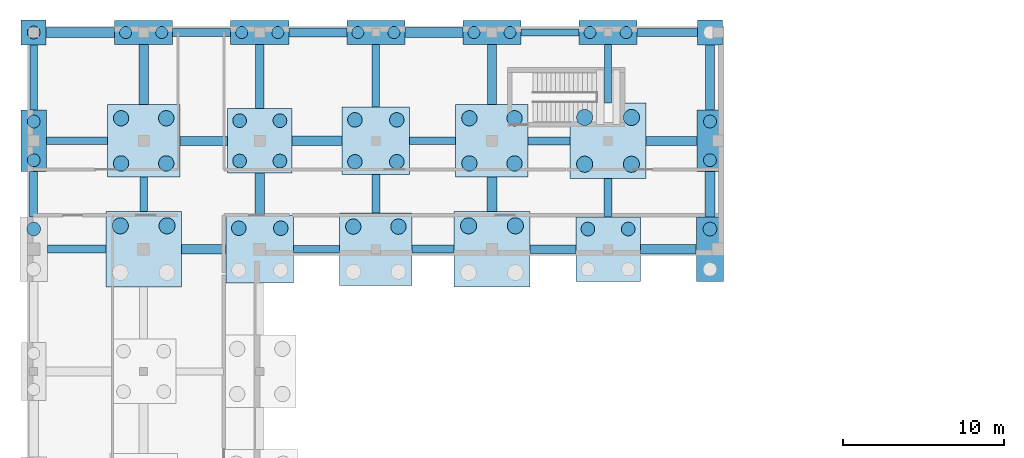
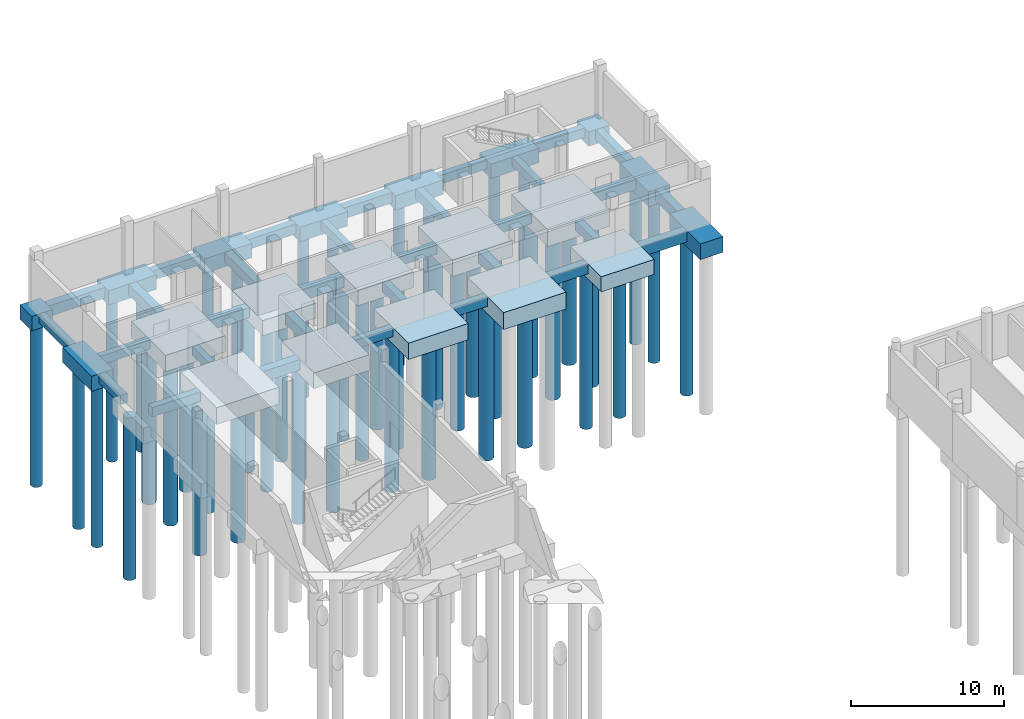
# One storey, part 7 of 41: 52 footings, 47 piles.
"""IFC4 building model written with IfcOpenShell, lengths in metres."""

from ifc_helpers import new_model, si_unit, direction, frame, origin, origin_2d, place, context, subcontext, project, spatial, rectangle, circle, extrude, material, material_profile, profile_set, type_object, element, save


model = new_model("IFC4")

# Units and contexts
model_context = context("Model", 3, precision=1e-05, world=origin(), true_north=direction((0.0, 1.0)))
body_context = subcontext(model_context, "Body", "Model", "MODEL_VIEW")
ifc_project = project(units=[si_unit("LENGTHUNIT", "METRE"), si_unit("AREAUNIT", "SQUARE_METRE"), si_unit("VOLUMEUNIT", "CUBIC_METRE"), si_unit("PLANEANGLEUNIT", "RADIAN"), si_unit("MASSUNIT", "GRAM", prefix="KILO")], contexts=[model_context])

# Site, building, storey
site_placement = place(None, origin())
site = spatial("IfcSite", under=ifc_project, at=site_placement, CompositionType="ELEMENT")
building_placement = place(site_placement, origin())
building = spatial("IfcBuilding", under=site, at=building_placement, Name="Vardoun Plaza Health Centre", CompositionType="ELEMENT")
storey_placement = place(building_placement, frame((0.0, 0.0, -4.5)))
storey = spatial("IfcBuildingStorey", under=building, at=storey_placement, Name="B1", CompositionType="ELEMENT", Elevation=-4.5)

# Footings
ifc_material_1 = material(Name="Concrete C40/50", Category="concrete")
footing_type_1 = type_object("IfcFootingType", Name="PC-02", PredefinedType="PILE_CAP", material=ifc_material_1)
for number, where, z_axis, x_axis, name in (
    (1, (4.8798828125, 114.919921875, -1.570068359375), (0.0, 0.0, 1.0), (1.0, 0.0, 0.0), "V3 Pile Cap PC-V3-06"),
    (2, (46.820068359375, 114.919921875, -1.570068359375), (0.0, 0.0, 1.0), (1.0, 0.0, 0.0), "V3 Pile Cap PC-V3-30"),
):
    element("IfcFooting", number, at=place(storey_placement, frame(where, z_axis=z_axis, x_axis=x_axis)), inside=storey, type_object=footing_type_1, Name=name, PredefinedType="PILE_CAP", context=body_context, shape_type="SweptSolid", body=[
        extrude(rectangle(XDim=1.550048828125, YDim=1.550048828125, at=origin_2d()), origin(), (0.0, 0.0, 1.0), 1.14990234375),
    ])
ifc_material_2 = material(Name="Concrete C40/50", Category="concrete")
footing_type_2 = type_object("IfcFootingType", Name="PC-03", PredefinedType="PILE_CAP", material=ifc_material_2)
for number, where, z_axis, x_axis, name in (
    (3, (11.699951171875, 114.919921875, -1.570068359375), (0.0, 0.0, 1.0), (1.0, 0.0, 0.0), "V3 Pile Cap PC-V3-12"),
    (4, (18.89990234375, 114.919921875, -1.570068359375), (0.0, 0.0, 1.0), (1.0, 0.0, 0.0), "V3 Pile Cap PC-V3-18"),
    (5, (26.10009765625, 114.919921875, -1.570068359375), (0.0, 0.0, 1.0), (1.0, 0.0, 0.0), "V3 Pile Cap PC-V3-21"),
    (6, (33.300048828125, 114.919921875, -1.570068359375), (0.0, 0.0, 1.0), (1.0, 0.0, 0.0), "V3 Pile Cap PC-V3-24"),
    (7, (40.5, 114.919921875, -1.570068359375), (0.0, 0.0, 1.0), (1.0, 0.0, 0.0), "V3 Pile Cap PC-V3-27"),
):
    element("IfcFooting", number, at=place(storey_placement, frame(where, z_axis=z_axis, x_axis=x_axis)), inside=storey, type_object=footing_type_2, Name=name, PredefinedType="PILE_CAP", context=body_context, shape_type="SweptSolid", body=[
        extrude(rectangle(XDim=3.60009765625, YDim=1.5, at=origin_2d()), origin(), (0.0, 0.0, 1.0), 1.14990234375),
    ])
ifc_material_3 = material(Name="Concrete C40/50", Category="concrete")
footing_type_3 = type_object("IfcFootingType", Name="PC-04", PredefinedType="PILE_CAP", material=ifc_material_3)
for number, where, z_axis, x_axis, name in (
    (8, (4.8798828125, 108.199951171875, -1.6201171875), (0.0, 0.0, 1.0), (0.0, 1.0, 0.0), "V3 Pile Cap PC-V3-05"),
    (9, (46.820068359375, 108.199951171875, -1.6201171875), (0.0, 0.0, 1.0), (0.0, 1.0, 0.0), "V3 Pile Cap PC-V3-29"),
):
    element("IfcFooting", number, at=place(storey_placement, frame(where, z_axis=z_axis, x_axis=x_axis)), inside=storey, type_object=footing_type_3, Name=name, PredefinedType="PILE_CAP", context=body_context, shape_type="SweptSolid", body=[
        extrude(rectangle(XDim=3.800048828125, YDim=1.60009765625, at=origin_2d()), origin(), (0.0, 0.0, 1.0), 1.199951171875),
    ])
ifc_material_4 = material(Name="Concrete C40/50", Category="concrete")
footing_type_4 = type_object("IfcFootingType", Name="PC-05", PredefinedType="PILE_CAP", material=ifc_material_4)
footing_1_placement = place(storey_placement, frame((46.820068359375, 101.47998046875, -1.669921875), z_axis=(0.0, 0.0, 1.0), x_axis=(0.0, 1.0, 0.0)))
element("IfcFooting", 10, at=footing_1_placement, inside=storey, type_object=footing_type_4, Name="V3 Pile Cap PC-V3-28", PredefinedType="PILE_CAP", context=body_context, shape_type="SweptSolid", body=[
    extrude(rectangle(XDim=4.0, YDim=1.699951171875, at=origin_2d()), origin(), (0.0, 0.0, 1.0), 1.25),
])
ifc_material_5 = material(Name="Concrete C40/50", Category="concrete")
footing_type_5 = type_object("IfcFootingType", Name="PC-06", PredefinedType="PILE_CAP", material=ifc_material_5)
for number, where, z_axis, x_axis, name in (
    (11, (18.89990234375, 108.199951171875, -1.6201171875), (0.0, 0.0, 1.0), (1.0, 0.0, 0.0), "V3 Pile Cap PC-V3-17"),
    (12, (40.5, 101.47998046875, -1.6201171875), (0.0, 0.0, 1.0), (1.0, 0.0, 0.0), "V3 Pile Cap PC-V3-25"),
):
    element("IfcFooting", number, at=place(storey_placement, frame(where, z_axis=z_axis, x_axis=x_axis)), inside=storey, type_object=footing_type_5, Name=name, PredefinedType="PILE_CAP", context=body_context, shape_type="SweptSolid", body=[
        extrude(rectangle(XDim=4.0, YDim=4.0, at=origin_2d()), origin(), (0.0, 0.0, 1.0), 1.199951171875),
    ])
ifc_material_6 = material(Name="Concrete C40/50", Category="concrete")
footing_type_6 = type_object("IfcFootingType", Name="PC-07", PredefinedType="PILE_CAP", material=ifc_material_6)
for number, where, z_axis, x_axis, name in (
    (13, (18.89990234375, 101.47998046875, -1.669921875), (0.0, 0.0, 1.0), (1.0, 0.0, 0.0), "V3 Pile Cap PC-V3-16"),
    (14, (26.10009765625, 108.199951171875, -1.669921875), (0.0, 0.0, 1.0), (1.0, 0.0, 0.0), "V3 Pile Cap PC-V3-20"),
):
    element("IfcFooting", number, at=place(storey_placement, frame(where, z_axis=z_axis, x_axis=x_axis)), inside=storey, type_object=footing_type_6, Name=name, PredefinedType="PILE_CAP", context=body_context, shape_type="SweptSolid", body=[
        extrude(rectangle(XDim=4.199951171875, YDim=4.199951171875, at=origin_2d()), origin(), (0.0, 0.0, 1.0), 1.25),
    ])
ifc_material_7 = material(Name="Concrete C40/50", Category="concrete")
footing_type_7 = type_object("IfcFootingType", Name="PC-08", PredefinedType="PILE_CAP", material=ifc_material_7)
for number, where, z_axis, x_axis, name in (
    (15, (11.699951171875, 108.199951171875, -1.72021484375), (0.0, 0.0, 1.0), (1.0, 0.0, 0.0), "V3 Pile Cap PC-V3-11"),
    (16, (26.10009765625, 101.47998046875, -1.72021484375), (0.0, 0.0, 1.0), (1.0, 0.0, 0.0), "V3 Pile Cap PC-V3-19"),
    (17, (33.300048828125, 108.199951171875, -1.72021484375), (0.0, 0.0, 1.0), (1.0, 0.0, 0.0), "V3 Pile Cap PC-V3-23"),
):
    element("IfcFooting", number, at=place(storey_placement, frame(where, z_axis=z_axis, x_axis=x_axis)), inside=storey, type_object=footing_type_7, Name=name, PredefinedType="PILE_CAP", context=body_context, shape_type="SweptSolid", body=[
        extrude(rectangle(XDim=4.5, YDim=4.5, at=origin_2d()), origin(), (0.0, 0.0, 1.0), 1.300048828125),
    ])
ifc_material_8 = material(Name="Concrete C40/50", Category="concrete")
footing_type_8 = type_object("IfcFootingType", Name="PC-09", PredefinedType="PILE_CAP", material=ifc_material_8)
for number, where, z_axis, x_axis, name in (
    (18, (11.699951171875, 101.47998046875, -1.77001953125), (0.0, 0.0, 1.0), (1.0, 0.0, 0.0), "V3 Pile Cap PC-V3-10"),
    (19, (33.300048828125, 101.47998046875, -1.77001953125), (0.0, 0.0, 1.0), (1.0, 0.0, 0.0), "V3 Pile Cap PC-V3-22"),
    (20, (40.5, 108.199951171875, -1.77001953125), (0.0, 0.0, 1.0), (1.0, 0.0, 0.0), "V3 Pile Cap PC-V3-26"),
):
    element("IfcFooting", number, at=place(storey_placement, frame(where, z_axis=z_axis, x_axis=x_axis)), inside=storey, type_object=footing_type_8, Name=name, PredefinedType="PILE_CAP", context=body_context, shape_type="SweptSolid", body=[
        extrude(rectangle(XDim=4.699951171875, YDim=4.699951171875, at=origin_2d()), origin(), (0.0, 0.0, 1.0), 1.35009765625),
    ])
ifc_material_9 = material(Name="Concrete C40/50", Category="concrete")
ifc_material_profile_1 = material_profile(ifc_material_9, rectangle(XDim=0.449951171875, YDim=0.699951171875, at=origin_2d()), Name="GB 450x700")
ifc_profile_set_1 = profile_set([ifc_material_profile_1], Name="Concrete C40/50")
footing_type_9 = type_object("IfcFootingType", Name="GB-01", PredefinedType="FOOTING_BEAM", material=ifc_profile_set_1)
footing_2_placement = place(storey_placement, frame((5.679931640625, 108.199951171875, -0.77001953125), z_axis=(1.0, 0.0, 0.0), x_axis=(0.0, 1.0, 0.0)))
element("IfcFooting", 21, at=footing_2_placement, inside=storey, type_object=footing_type_9, Name="V3 Ground Tie Beam 5", PredefinedType="FOOTING_BEAM", context=body_context, shape_type="SweptSolid", body=[
    extrude(rectangle(XDim=0.449951171875, YDim=0.699951171875, at=origin_2d()), origin(), (0.0, 0.0, 1.0), 3.77001953125),
])
for number, where, z_axis, x_axis, name in (
    (22, (21.0, 101.47998046875, -0.77001953125), (1.0, 0.0, 0.0), (0.0, 1.0, 0.0), "V3 Ground Tie Beam 13"),
    (23, (28.199951171875, 108.199951171875, -0.77001953125), (1.0, 0.0, 0.0), (0.0, 1.0, 0.0), "V3 Ground Tie Beam 17"),
):
    element("IfcFooting", number, at=place(storey_placement, frame(where, z_axis=z_axis, x_axis=x_axis)), inside=storey, type_object=footing_type_9, Name=name, PredefinedType="FOOTING_BEAM", context=body_context, shape_type="SweptSolid", body=[
        extrude(rectangle(XDim=0.449951171875, YDim=0.699951171875, at=origin_2d()), origin(), (0.0, 0.0, 1.0), 2.85009765625),
    ])
footing_3_placement = place(storey_placement, frame((35.10009765625, 114.919921875, -0.77001953125), z_axis=(1.0, 0.0, 0.0), x_axis=(0.0, 1.0, 0.0)))
element("IfcFooting", 24, at=footing_3_placement, inside=storey, type_object=footing_type_9, Name="V3 Ground Tie Beam 21", PredefinedType="FOOTING_BEAM", context=body_context, shape_type="SweptSolid", body=[
    extrude(rectangle(XDim=0.449951171875, YDim=0.699951171875, at=origin_2d()), origin(), (0.0, 0.0, 1.0), 3.599853515625),
])
footing_4_placement = place(storey_placement, frame((4.8798828125, 110.10009765625, -0.77001953125), z_axis=(0.0, 1.0, 0.0), x_axis=(-1.0, 0.0, 0.0)))
element("IfcFooting", 25, at=footing_4_placement, inside=storey, type_object=footing_type_9, Name="V3 Ground Tie Beam 29", PredefinedType="FOOTING_BEAM", context=body_context, shape_type="SweptSolid", body=[
    extrude(rectangle(XDim=0.449951171875, YDim=0.699951171875, at=origin_2d()), origin(), (0.0, 0.0, 1.0), 4.044921875),
])
footing_5_placement = place(storey_placement, frame((11.699951171875, 103.830078125, -0.77001953125), z_axis=(0.0, 1.0, 0.0), x_axis=(-1.0, 0.0, 0.0)))
element("IfcFooting", 26, at=footing_5_placement, inside=storey, type_object=footing_type_9, Name="V3 Ground Tie Beam 33", PredefinedType="FOOTING_BEAM", context=body_context, shape_type="SweptSolid", body=[
    extrude(rectangle(XDim=0.449951171875, YDim=0.699951171875, at=origin_2d()), origin(), (0.0, 0.0, 1.0), 2.119873046875),
])
footing_6_placement = place(storey_placement, frame((26.10009765625, 110.300048828125, -0.77001953125), z_axis=(0.0, 1.0, 0.0), x_axis=(-1.0, 0.0, 0.0)))
element("IfcFooting", 27, at=footing_6_placement, inside=storey, type_object=footing_type_9, Name="V3 Ground Tie Beam 41", PredefinedType="FOOTING_BEAM", context=body_context, shape_type="SweptSolid", body=[
    extrude(rectangle(XDim=0.449951171875, YDim=0.699951171875, at=origin_2d()), origin(), (0.0, 0.0, 1.0), 3.869873046875),
])
footing_7_placement = place(storey_placement, frame((40.5, 110.550048828125, -0.77001953125), z_axis=(0.0, 1.0, 0.0), x_axis=(-1.0, 0.0, 0.0)))
element("IfcFooting", 28, at=footing_7_placement, inside=storey, type_object=footing_type_9, Name="V3 Ground Tie Beam 45", PredefinedType="FOOTING_BEAM", context=body_context, shape_type="SweptSolid", body=[
    extrude(rectangle(XDim=0.449951171875, YDim=0.699951171875, at=origin_2d()), origin(), (0.0, 0.0, 1.0), 3.619873046875),
])
ifc_material_10 = material(Name="Concrete C40/50", Category="concrete")
ifc_material_profile_2 = material_profile(ifc_material_10, rectangle(XDim=0.5, YDim=0.75, at=origin_2d()), Name="GB 500x750")
ifc_profile_set_2 = profile_set([ifc_material_profile_2], Name="Concrete C40/50")
footing_type_10 = type_object("IfcFootingType", Name="GB-02", PredefinedType="FOOTING_BEAM", material=ifc_profile_set_2)
footing_8_placement = place(storey_placement, frame((5.72998046875, 101.47998046875, -0.794921875), z_axis=(1.0, 0.0, 0.0), x_axis=(0.0, 1.0, 0.0)))
element("IfcFooting", 29, at=footing_8_placement, inside=storey, type_object=footing_type_10, Name="V3 Ground Tie Beam 4", PredefinedType="FOOTING_BEAM", context=body_context, shape_type="SweptSolid", body=[
    extrude(rectangle(XDim=0.5, YDim=0.75, at=origin_2d()), origin(), (0.0, 0.0, 1.0), 3.6201171875),
])
footing_9_placement = place(storey_placement, frame((13.5, 114.919921875, -0.794921875), z_axis=(1.0, 0.0, 0.0), x_axis=(0.0, 1.0, 0.0)))
element("IfcFooting", 30, at=footing_9_placement, inside=storey, type_object=footing_type_10, Name="V3 Ground Tie Beam 12", PredefinedType="FOOTING_BEAM", context=body_context, shape_type="SweptSolid", body=[
    extrude(rectangle(XDim=0.5, YDim=0.75, at=origin_2d()), origin(), (0.0, 0.0, 1.0), 3.60009765625),
])
footing_10_placement = place(storey_placement, frame((28.35009765625, 101.47998046875, -0.794921875), z_axis=(1.0, 0.0, 0.0), x_axis=(0.0, 1.0, 0.0)))
element("IfcFooting", 31, at=footing_10_placement, inside=storey, type_object=footing_type_10, Name="V3 Ground Tie Beam 16", PredefinedType="FOOTING_BEAM", context=body_context, shape_type="SweptSolid", body=[
    extrude(rectangle(XDim=0.5, YDim=0.75, at=origin_2d()), origin(), (0.0, 0.0, 1.0), 2.599853515625),
])
footing_11_placement = place(storey_placement, frame((35.550048828125, 108.199951171875, -0.794921875), z_axis=(1.0, 0.0, 0.0), x_axis=(0.0, 1.0, 0.0)))
element("IfcFooting", 32, at=footing_11_placement, inside=storey, type_object=footing_type_10, Name="V3 Ground Tie Beam 20", PredefinedType="FOOTING_BEAM", context=body_context, shape_type="SweptSolid", body=[
    extrude(rectangle(XDim=0.5, YDim=0.75, at=origin_2d()), origin(), (0.0, 0.0, 1.0), 2.60009765625),
])
footing_12_placement = place(storey_placement, frame((42.300048828125, 114.919921875, -0.794921875), z_axis=(1.0, 0.0, 0.0), x_axis=(0.0, 1.0, 0.0)))
element("IfcFooting", 33, at=footing_12_placement, inside=storey, type_object=footing_type_10, Name="V3 Ground Tie Beam 24", PredefinedType="FOOTING_BEAM", context=body_context, shape_type="SweptSolid", body=[
    extrude(rectangle(XDim=0.5, YDim=0.75, at=origin_2d()), origin(), (0.0, 0.0, 1.0), 3.744873046875),
])
footing_13_placement = place(storey_placement, frame((4.8798828125, 103.47998046875, -0.794921875), z_axis=(0.0, 1.0, 0.0), x_axis=(-1.0, 0.0, 0.0)))
element("IfcFooting", 34, at=footing_13_placement, inside=storey, type_object=footing_type_10, Name="V3 Ground Tie Beam 28", PredefinedType="FOOTING_BEAM", context=body_context, shape_type="SweptSolid", body=[
    extrude(rectangle(XDim=0.5, YDim=0.75, at=origin_2d()), origin(), (0.0, 0.0, 1.0), 2.820068359375),
])
for number, where, z_axis, x_axis, name in (
    (35, (26.10009765625, 103.72998046875, -0.794921875), (0.0, 1.0, 0.0), (-1.0, 0.0, 0.0), "V3 Ground Tie Beam 40"),
    (36, (40.5, 103.47998046875, -0.794921875), (0.0, 1.0, 0.0), (-1.0, 0.0, 0.0), "V3 Ground Tie Beam 44"),
):
    element("IfcFooting", number, at=place(storey_placement, frame(where, z_axis=z_axis, x_axis=x_axis)), inside=storey, type_object=footing_type_10, Name=name, PredefinedType="FOOTING_BEAM", context=body_context, shape_type="SweptSolid", body=[
        extrude(rectangle(XDim=0.5, YDim=0.75, at=origin_2d()), origin(), (0.0, 0.0, 1.0), 2.3701171875),
    ])
ifc_material_11 = material(Name="Concrete C40/50", Category="concrete")
ifc_material_profile_3 = material_profile(ifc_material_11, rectangle(XDim=0.550048828125, YDim=0.800048828125, at=origin_2d()), Name="GB 550x800")
ifc_profile_set_3 = profile_set([ifc_material_profile_3], Name="Concrete C40/50")
footing_type_11 = type_object("IfcFootingType", Name="GB-03", PredefinedType="FOOTING_BEAM", material=ifc_profile_set_3)
footing_14_placement = place(storey_placement, frame((13.949951171875, 108.199951171875, -0.820068359375), z_axis=(1.0, 0.0, 0.0), x_axis=(0.0, 1.0, 0.0)))
element("IfcFooting", 37, at=footing_14_placement, inside=storey, type_object=footing_type_11, Name="V3 Ground Tie Beam 11", PredefinedType="FOOTING_BEAM", context=body_context, shape_type="SweptSolid", body=[
    extrude(rectangle(XDim=0.550048828125, YDim=0.800048828125, at=origin_2d()), origin(), (0.0, 0.0, 1.0), 2.949951171875),
])
footing_15_placement = place(storey_placement, frame((20.699951171875, 114.919921875, -0.820068359375), z_axis=(1.0, 0.0, 0.0), x_axis=(0.0, 1.0, 0.0)))
element("IfcFooting", 38, at=footing_15_placement, inside=storey, type_object=footing_type_11, Name="V3 Ground Tie Beam 15", PredefinedType="FOOTING_BEAM", context=body_context, shape_type="SweptSolid", body=[
    extrude(rectangle(XDim=0.550048828125, YDim=0.800048828125, at=origin_2d()), origin(), (0.0, 0.0, 1.0), 3.60009765625),
])
footing_16_placement = place(storey_placement, frame((35.650146484375, 101.47998046875, -0.820068359375), z_axis=(1.0, 0.0, 0.0), x_axis=(0.0, 1.0, 0.0)))
element("IfcFooting", 39, at=footing_16_placement, inside=storey, type_object=footing_type_11, Name="V3 Ground Tie Beam 19", PredefinedType="FOOTING_BEAM", context=body_context, shape_type="SweptSolid", body=[
    extrude(rectangle(XDim=0.550048828125, YDim=0.800048828125, at=origin_2d()), origin(), (0.0, 0.0, 1.0), 2.849853515625),
])
footing_17_placement = place(storey_placement, frame((42.85009765625, 108.199951171875, -0.820068359375), z_axis=(1.0, 0.0, 0.0), x_axis=(0.0, 1.0, 0.0)))
element("IfcFooting", 40, at=footing_17_placement, inside=storey, type_object=footing_type_11, Name="V3 Ground Tie Beam 23", PredefinedType="FOOTING_BEAM", context=body_context, shape_type="SweptSolid", body=[
    extrude(rectangle(XDim=0.550048828125, YDim=0.800048828125, at=origin_2d()), origin(), (0.0, 0.0, 1.0), 3.169921875),
])
footing_18_placement = place(storey_placement, frame((18.89990234375, 110.199951171875, -0.820068359375), z_axis=(0.0, 1.0, 0.0), x_axis=(-1.0, 0.0, 0.0)))
element("IfcFooting", 41, at=footing_18_placement, inside=storey, type_object=footing_type_11, Name="V3 Ground Tie Beam 39", PredefinedType="FOOTING_BEAM", context=body_context, shape_type="SweptSolid", body=[
    extrude(rectangle(XDim=0.550048828125, YDim=0.800048828125, at=origin_2d()), origin(), (0.0, 0.0, 1.0), 3.969970703125),
])
footing_19_placement = place(storey_placement, frame((33.300048828125, 110.449951171875, -0.820068359375), z_axis=(0.0, 1.0, 0.0), x_axis=(-1.0, 0.0, 0.0)))
element("IfcFooting", 42, at=footing_19_placement, inside=storey, type_object=footing_type_11, Name="V3 Ground Tie Beam 43", PredefinedType="FOOTING_BEAM", context=body_context, shape_type="SweptSolid", body=[
    extrude(rectangle(XDim=0.550048828125, YDim=0.800048828125, at=origin_2d()), origin(), (0.0, 0.0, 1.0), 3.719970703125),
])
footing_20_placement = place(storey_placement, frame((46.820068359375, 110.10009765625, -0.820068359375), z_axis=(0.0, 1.0, 0.0), x_axis=(-1.0, 0.0, 0.0)))
element("IfcFooting", 43, at=footing_20_placement, inside=storey, type_object=footing_type_11, Name="V3 Ground Tie Beam 47", PredefinedType="FOOTING_BEAM", context=body_context, shape_type="SweptSolid", body=[
    extrude(rectangle(XDim=0.550048828125, YDim=0.800048828125, at=origin_2d()), origin(), (0.0, 0.0, 1.0), 4.044921875),
])
ifc_material_12 = material(Name="Concrete C40/50", Category="concrete")
ifc_material_profile_4 = material_profile(ifc_material_12, rectangle(XDim=0.60009765625, YDim=0.85009765625, at=origin_2d()), Name="GB 600x850")
ifc_profile_set_4 = profile_set([ifc_material_profile_4], Name="Concrete C40/50")
footing_type_12 = type_object("IfcFootingType", Name="GB-04", PredefinedType="FOOTING_BEAM", material=ifc_profile_set_4)
footing_21_placement = place(storey_placement, frame((5.655029296875, 114.919921875, -0.844970703125), z_axis=(1.0, 0.0, 0.0), x_axis=(0.0, 1.0, 0.0)))
element("IfcFooting", 44, at=footing_21_placement, inside=storey, type_object=footing_type_12, Name="V3 Ground Tie Beam 6", PredefinedType="FOOTING_BEAM", context=body_context, shape_type="SweptSolid", body=[
    extrude(rectangle(XDim=0.60009765625, YDim=0.85009765625, at=origin_2d()), origin(), (0.0, 0.0, 1.0), 4.244873046875),
])
footing_22_placement = place(storey_placement, frame((14.050048828125, 101.47998046875, -0.844970703125), z_axis=(1.0, 0.0, 0.0), x_axis=(0.0, 1.0, 0.0)))
element("IfcFooting", 45, at=footing_22_placement, inside=storey, type_object=footing_type_12, Name="V3 Ground Tie Beam 10", PredefinedType="FOOTING_BEAM", context=body_context, shape_type="SweptSolid", body=[
    extrude(rectangle(XDim=0.60009765625, YDim=0.85009765625, at=origin_2d()), origin(), (0.0, 0.0, 1.0), 2.75),
])
footing_23_placement = place(storey_placement, frame((20.89990234375, 108.199951171875, -0.844970703125), z_axis=(1.0, 0.0, 0.0), x_axis=(0.0, 1.0, 0.0)))
element("IfcFooting", 46, at=footing_23_placement, inside=storey, type_object=footing_type_12, Name="V3 Ground Tie Beam 14", PredefinedType="FOOTING_BEAM", context=body_context, shape_type="SweptSolid", body=[
    extrude(rectangle(XDim=0.60009765625, YDim=0.85009765625, at=origin_2d()), origin(), (0.0, 0.0, 1.0), 3.10009765625),
])
footing_24_placement = place(storey_placement, frame((27.89990234375, 114.919921875, -0.844970703125), z_axis=(1.0, 0.0, 0.0), x_axis=(0.0, 1.0, 0.0)))
element("IfcFooting", 47, at=footing_24_placement, inside=storey, type_object=footing_type_12, Name="V3 Ground Tie Beam 18", PredefinedType="FOOTING_BEAM", context=body_context, shape_type="SweptSolid", body=[
    extrude(rectangle(XDim=0.60009765625, YDim=0.85009765625, at=origin_2d()), origin(), (0.0, 0.0, 1.0), 3.60009765625),
])
footing_25_placement = place(storey_placement, frame((42.5, 101.47998046875, -0.844970703125), z_axis=(1.0, 0.0, 0.0), x_axis=(0.0, 1.0, 0.0)))
element("IfcFooting", 48, at=footing_25_placement, inside=storey, type_object=footing_type_12, Name="V3 Ground Tie Beam 22", PredefinedType="FOOTING_BEAM", context=body_context, shape_type="SweptSolid", body=[
    extrude(rectangle(XDim=0.60009765625, YDim=0.85009765625, at=origin_2d()), origin(), (0.0, 0.0, 1.0), 3.469970703125),
])
footing_26_placement = place(storey_placement, frame((11.699951171875, 110.449951171875, -0.844970703125), z_axis=(0.0, 1.0, 0.0), x_axis=(-1.0, 0.0, 0.0)))
element("IfcFooting", 49, at=footing_26_placement, inside=storey, type_object=footing_type_12, Name="V3 Ground Tie Beam 34", PredefinedType="FOOTING_BEAM", context=body_context, shape_type="SweptSolid", body=[
    extrude(rectangle(XDim=0.60009765625, YDim=0.85009765625, at=origin_2d()), origin(), (0.0, 0.0, 1.0), 3.719970703125),
])
footing_27_placement = place(storey_placement, frame((18.89990234375, 103.580078125, -0.844970703125), z_axis=(0.0, 1.0, 0.0), x_axis=(-1.0, 0.0, 0.0)))
element("IfcFooting", 50, at=footing_27_placement, inside=storey, type_object=footing_type_12, Name="V3 Ground Tie Beam 38", PredefinedType="FOOTING_BEAM", context=body_context, shape_type="SweptSolid", body=[
    extrude(rectangle(XDim=0.60009765625, YDim=0.85009765625, at=origin_2d()), origin(), (0.0, 0.0, 1.0), 2.619873046875),
])
footing_28_placement = place(storey_placement, frame((33.300048828125, 103.830078125, -0.844970703125), z_axis=(0.0, 1.0, 0.0), x_axis=(-1.0, 0.0, 0.0)))
element("IfcFooting", 51, at=footing_28_placement, inside=storey, type_object=footing_type_12, Name="V3 Ground Tie Beam 42", PredefinedType="FOOTING_BEAM", context=body_context, shape_type="SweptSolid", body=[
    extrude(rectangle(XDim=0.60009765625, YDim=0.85009765625, at=origin_2d()), origin(), (0.0, 0.0, 1.0), 2.119873046875),
])
footing_29_placement = place(storey_placement, frame((46.820068359375, 103.47998046875, -0.844970703125), z_axis=(0.0, 1.0, 0.0), x_axis=(-1.0, 0.0, 0.0)))
element("IfcFooting", 52, at=footing_29_placement, inside=storey, type_object=footing_type_12, Name="V3 Ground Tie Beam 46", PredefinedType="FOOTING_BEAM", context=body_context, shape_type="SweptSolid", body=[
    extrude(rectangle(XDim=0.60009765625, YDim=0.85009765625, at=origin_2d()), origin(), (0.0, 0.0, 1.0), 2.820068359375),
])

# Piles
ifc_material_13 = material(Name="Concrete C40/50", Category="concrete")
ifc_material_profile_5 = material_profile(ifc_material_13, circle(Radius=0.5, at=origin_2d()), Name="PILE D1000")
ifc_profile_set_5 = profile_set([ifc_material_profile_5], Name="Concrete C40/50")
pile_type_1 = type_object("IfcPileType", Name="PL-06", PredefinedType="BORED", material=ifc_profile_set_5)
for number, where, z_axis, x_axis, name in (
    (53, (10.25, 102.929931640625, -1.669921875), (0.0, 0.0, -1.0), (1.0, 0.0, 0.0), "V3 Bored Pile PL-V3-10C"),
    (54, (13.14990234375, 102.929931640625, -1.669921875), (0.0, 0.0, -1.0), (1.0, 0.0, 0.0), "V3 Bored Pile PL-V3-10D"),
    (55, (31.85009765625, 102.929931640625, -1.669921875), (0.0, 0.0, -1.0), (1.0, 0.0, 0.0), "V3 Bored Pile PL-V3-22C"),
    (56, (34.75, 102.929931640625, -1.669921875), (0.0, 0.0, -1.0), (1.0, 0.0, 0.0), "V3 Bored Pile PL-V3-22D"),
    (57, (39.050048828125, 106.75, -1.669921875), (0.0, 0.0, -1.0), (1.0, 0.0, 0.0), "V3 Bored Pile PL-V3-26A"),
    (58, (41.949951171875, 106.75, -1.669921875), (0.0, 0.0, -1.0), (1.0, 0.0, 0.0), "V3 Bored Pile PL-V3-26B"),
    (59, (39.050048828125, 109.64990234375, -1.669921875), (0.0, 0.0, -1.0), (1.0, 0.0, 0.0), "V3 Bored Pile PL-V3-26C"),
    (60, (41.949951171875, 109.64990234375, -1.669921875), (0.0, 0.0, -1.0), (1.0, 0.0, 0.0), "V3 Bored Pile PL-V3-26D"),
):
    element("IfcPile", number, at=place(storey_placement, frame(where, z_axis=z_axis, x_axis=x_axis)), inside=storey, type_object=pile_type_1, Name=name, PredefinedType="BORED", context=body_context, shape_type="SweptSolid", body=[
        extrude(circle(Radius=0.5, at=origin_2d()), origin(), (0.0, 0.0, 1.0), 12.830078125),
    ])
ifc_material_14 = material(Name="Concrete C40/50", Category="concrete")
ifc_material_profile_6 = material_profile(ifc_material_14, circle(Radius=0.375, at=origin_2d()), Name="PILE D750")
ifc_profile_set_6 = profile_set([ifc_material_profile_6], Name="Concrete C40/50")
pile_type_2 = type_object("IfcPileType", Name="PL-01", PredefinedType="BORED", material=ifc_profile_set_6)
for number, where, z_axis, x_axis, name in (
    (61, (10.580078125, 114.919921875, -1.469970703125), (0.0, 0.0, -1.0), (1.0, 0.0, 0.0), "V3 Bored Pile PL-V3-12A"),
    (62, (12.820068359375, 114.919921875, -1.469970703125), (0.0, 0.0, -1.0), (1.0, 0.0, 0.0), "V3 Bored Pile PL-V3-12B"),
    (63, (17.780029296875, 114.919921875, -1.469970703125), (0.0, 0.0, -1.0), (1.0, 0.0, 0.0), "V3 Bored Pile PL-V3-18A"),
    (64, (20.02001953125, 114.919921875, -1.469970703125), (0.0, 0.0, -1.0), (1.0, 0.0, 0.0), "V3 Bored Pile PL-V3-18B"),
    (65, (24.97998046875, 114.919921875, -1.469970703125), (0.0, 0.0, -1.0), (1.0, 0.0, 0.0), "V3 Bored Pile PL-V3-21A"),
    (66, (27.219970703125, 114.919921875, -1.469970703125), (0.0, 0.0, -1.0), (1.0, 0.0, 0.0), "V3 Bored Pile PL-V3-21B"),
    (67, (32.179931640625, 114.919921875, -1.469970703125), (0.0, 0.0, -1.0), (1.0, 0.0, 0.0), "V3 Bored Pile PL-V3-24A"),
    (68, (34.419921875, 114.919921875, -1.469970703125), (0.0, 0.0, -1.0), (1.0, 0.0, 0.0), "V3 Bored Pile PL-V3-24B"),
    (69, (39.3798828125, 114.919921875, -1.469970703125), (0.0, 0.0, -1.0), (1.0, 0.0, 0.0), "V3 Bored Pile PL-V3-27A"),
    (70, (41.6201171875, 114.919921875, -1.469970703125), (0.0, 0.0, -1.0), (1.0, 0.0, 0.0), "V3 Bored Pile PL-V3-27B"),
):
    element("IfcPile", number, at=place(storey_placement, frame(where, z_axis=z_axis, x_axis=x_axis)), inside=storey, type_object=pile_type_2, Name=name, PredefinedType="BORED", context=body_context, shape_type="SweptSolid", body=[
        extrude(circle(Radius=0.375, at=origin_2d()), origin(), (0.0, 0.0, 1.0), 13.030029296875),
    ])
ifc_material_15 = material(Name="Concrete C40/50", Category="concrete")
ifc_material_profile_7 = material_profile(ifc_material_15, circle(Radius=0.39990234375, at=origin_2d()), Name="PILE D800")
ifc_profile_set_7 = profile_set([ifc_material_profile_7], Name="Concrete C40/50")
pile_type_3 = type_object("IfcPileType", Name="PL-02", PredefinedType="BORED", material=ifc_profile_set_7)
for number, where, z_axis, x_axis, name in (
    (71, (4.8798828125, 107.0, -1.52001953125), (0.0, 0.0, -1.0), (1.0, 0.0, 0.0), "V3 Bored Pile PL-V3-05A"),
    (72, (4.8798828125, 109.39990234375, -1.52001953125), (0.0, 0.0, -1.0), (1.0, 0.0, 0.0), "V3 Bored Pile PL-V3-05B"),
):
    element("IfcPile", number, at=place(storey_placement, frame(where, z_axis=z_axis, x_axis=x_axis)), inside=storey, type_object=pile_type_3, Name=name, PredefinedType="BORED", context=body_context, shape_type="SweptSolid", body=[
        extrude(circle(Radius=0.39990234375, at=origin_2d()), origin(), (0.0, 0.0, 1.0), 12.97998046875),
    ])
pile_1_placement = place(storey_placement, frame((4.8798828125, 114.919921875, -1.469970703125), z_axis=(0.0, 0.0, -1.0), x_axis=(1.0, 0.0, 0.0)))
element("IfcPile", 73, at=pile_1_placement, inside=storey, type_object=pile_type_3, Name="V3 Bored Pile PL-V3-06A", PredefinedType="BORED", context=body_context, shape_type="SweptSolid", body=[
    extrude(circle(Radius=0.39990234375, at=origin_2d()), origin(), (0.0, 0.0, 1.0), 13.030029296875),
])
for number, where, z_axis, x_axis, name in (
    (74, (46.820068359375, 107.0, -1.52001953125), (0.0, 0.0, -1.0), (1.0, 0.0, 0.0), "V3 Bored Pile PL-V3-29A"),
    (75, (46.820068359375, 109.39990234375, -1.52001953125), (0.0, 0.0, -1.0), (1.0, 0.0, 0.0), "V3 Bored Pile PL-V3-29B"),
):
    element("IfcPile", number, at=place(storey_placement, frame(where, z_axis=z_axis, x_axis=x_axis)), inside=storey, type_object=pile_type_3, Name=name, PredefinedType="BORED", context=body_context, shape_type="SweptSolid", body=[
        extrude(circle(Radius=0.39990234375, at=origin_2d()), origin(), (0.0, 0.0, 1.0), 12.97998046875),
    ])
ifc_material_16 = material(Name="Concrete C40/50", Category="concrete")
ifc_material_profile_8 = material_profile(ifc_material_16, circle(Radius=0.425048828125, at=origin_2d()), Name="PILE D850")
ifc_profile_set_8 = profile_set([ifc_material_profile_8], Name="Concrete C40/50")
pile_type_4 = type_object("IfcPileType", Name="PL-03", PredefinedType="BORED", material=ifc_profile_set_8)
pile_2_placement = place(storey_placement, frame((4.8798828125, 102.72998046875, -1.570068359375), z_axis=(0.0, 0.0, -1.0), x_axis=(1.0, 0.0, 0.0)))
element("IfcPile", 76, at=pile_2_placement, inside=storey, type_object=pile_type_4, Name="V3 Bored Pile PL-V3-04B", PredefinedType="BORED", context=body_context, shape_type="SweptSolid", body=[
    extrude(circle(Radius=0.425048828125, at=origin_2d()), origin(), (0.0, 0.0, 1.0), 12.929931640625),
])
for number, where, z_axis, x_axis, name in (
    (77, (17.64990234375, 106.949951171875, -1.52001953125), (0.0, 0.0, -1.0), (1.0, 0.0, 0.0), "V3 Bored Pile PL-V3-17A"),
    (78, (20.14990234375, 106.949951171875, -1.52001953125), (0.0, 0.0, -1.0), (1.0, 0.0, 0.0), "V3 Bored Pile PL-V3-17B"),
    (79, (17.64990234375, 109.449951171875, -1.52001953125), (0.0, 0.0, -1.0), (1.0, 0.0, 0.0), "V3 Bored Pile PL-V3-17C"),
    (80, (20.14990234375, 109.449951171875, -1.52001953125), (0.0, 0.0, -1.0), (1.0, 0.0, 0.0), "V3 Bored Pile PL-V3-17D"),
    (81, (39.25, 102.72998046875, -1.52001953125), (0.0, 0.0, -1.0), (1.0, 0.0, 0.0), "V3 Bored Pile PL-V3-25C"),
    (82, (41.75, 102.72998046875, -1.52001953125), (0.0, 0.0, -1.0), (1.0, 0.0, 0.0), "V3 Bored Pile PL-V3-25D"),
):
    element("IfcPile", number, at=place(storey_placement, frame(where, z_axis=z_axis, x_axis=x_axis)), inside=storey, type_object=pile_type_4, Name=name, PredefinedType="BORED", context=body_context, shape_type="SweptSolid", body=[
        extrude(circle(Radius=0.425048828125, at=origin_2d()), origin(), (0.0, 0.0, 1.0), 12.97998046875),
    ])
pile_3_placement = place(storey_placement, frame((46.820068359375, 102.72998046875, -1.570068359375), z_axis=(0.0, 0.0, -1.0), x_axis=(1.0, 0.0, 0.0)))
element("IfcPile", 83, at=pile_3_placement, inside=storey, type_object=pile_type_4, Name="V3 Bored Pile PL-V3-28B", PredefinedType="BORED", context=body_context, shape_type="SweptSolid", body=[
    extrude(circle(Radius=0.425048828125, at=origin_2d()), origin(), (0.0, 0.0, 1.0), 12.929931640625),
])
ifc_material_17 = material(Name="Concrete C40/50", Category="concrete")
ifc_material_profile_9 = material_profile(ifc_material_17, circle(Radius=0.449951171875, at=origin_2d()), Name="PILE D900")
ifc_profile_set_9 = profile_set([ifc_material_profile_9], Name="Concrete C40/50")
pile_type_5 = type_object("IfcPileType", Name="PL-04", PredefinedType="BORED", material=ifc_profile_set_9)
for number, where, z_axis, x_axis, name in (
    (84, (17.60009765625, 102.780029296875, -1.570068359375), (0.0, 0.0, -1.0), (1.0, 0.0, 0.0), "V3 Bored Pile PL-V3-16C"),
    (85, (20.199951171875, 102.780029296875, -1.570068359375), (0.0, 0.0, -1.0), (1.0, 0.0, 0.0), "V3 Bored Pile PL-V3-16D"),
    (86, (24.800048828125, 106.89990234375, -1.570068359375), (0.0, 0.0, -1.0), (1.0, 0.0, 0.0), "V3 Bored Pile PL-V3-20A"),
    (87, (27.39990234375, 106.89990234375, -1.570068359375), (0.0, 0.0, -1.0), (1.0, 0.0, 0.0), "V3 Bored Pile PL-V3-20B"),
    (88, (24.800048828125, 109.5, -1.570068359375), (0.0, 0.0, -1.0), (1.0, 0.0, 0.0), "V3 Bored Pile PL-V3-20C"),
    (89, (27.39990234375, 109.5, -1.570068359375), (0.0, 0.0, -1.0), (1.0, 0.0, 0.0), "V3 Bored Pile PL-V3-20D"),
):
    element("IfcPile", number, at=place(storey_placement, frame(where, z_axis=z_axis, x_axis=x_axis)), inside=storey, type_object=pile_type_5, Name=name, PredefinedType="BORED", context=body_context, shape_type="SweptSolid", body=[
        extrude(circle(Radius=0.449951171875, at=origin_2d()), origin(), (0.0, 0.0, 1.0), 12.929931640625),
    ])
ifc_material_18 = material(Name="Concrete C40/50", Category="concrete")
ifc_material_profile_10 = material_profile(ifc_material_18, circle(Radius=0.47509765625, at=origin_2d()), Name="PILE D950")
ifc_profile_set_10 = profile_set([ifc_material_profile_10], Name="Concrete C40/50")
pile_type_6 = type_object("IfcPileType", Name="PL-05", PredefinedType="BORED", material=ifc_profile_set_10)
for number, where, z_axis, x_axis, name in (
    (90, (10.300048828125, 106.800048828125, -1.6201171875), (0.0, 0.0, -1.0), (1.0, 0.0, 0.0), "V3 Bored Pile PL-V3-11A"),
    (91, (13.10009765625, 106.800048828125, -1.6201171875), (0.0, 0.0, -1.0), (1.0, 0.0, 0.0), "V3 Bored Pile PL-V3-11B"),
    (92, (10.300048828125, 109.60009765625, -1.6201171875), (0.0, 0.0, -1.0), (1.0, 0.0, 0.0), "V3 Bored Pile PL-V3-11C"),
    (93, (13.10009765625, 109.60009765625, -1.6201171875), (0.0, 0.0, -1.0), (1.0, 0.0, 0.0), "V3 Bored Pile PL-V3-11D"),
    (94, (24.699951171875, 102.8798828125, -1.6201171875), (0.0, 0.0, -1.0), (1.0, 0.0, 0.0), "V3 Bored Pile PL-V3-19C"),
    (95, (27.5, 102.8798828125, -1.6201171875), (0.0, 0.0, -1.0), (1.0, 0.0, 0.0), "V3 Bored Pile PL-V3-19D"),
    (96, (31.89990234375, 106.800048828125, -1.6201171875), (0.0, 0.0, -1.0), (1.0, 0.0, 0.0), "V3 Bored Pile PL-V3-23A"),
    (97, (34.699951171875, 106.800048828125, -1.6201171875), (0.0, 0.0, -1.0), (1.0, 0.0, 0.0), "V3 Bored Pile PL-V3-23B"),
    (98, (31.89990234375, 109.60009765625, -1.6201171875), (0.0, 0.0, -1.0), (1.0, 0.0, 0.0), "V3 Bored Pile PL-V3-23C"),
    (99, (34.699951171875, 109.60009765625, -1.6201171875), (0.0, 0.0, -1.0), (1.0, 0.0, 0.0), "V3 Bored Pile PL-V3-23D"),
):
    element("IfcPile", number, at=place(storey_placement, frame(where, z_axis=z_axis, x_axis=x_axis)), inside=storey, type_object=pile_type_6, Name=name, PredefinedType="BORED", context=body_context, shape_type="SweptSolid", body=[
        extrude(circle(Radius=0.47509765625, at=origin_2d()), origin(), (0.0, 0.0, 1.0), 12.8798828125),
    ])

save(model, "model.ifc")
